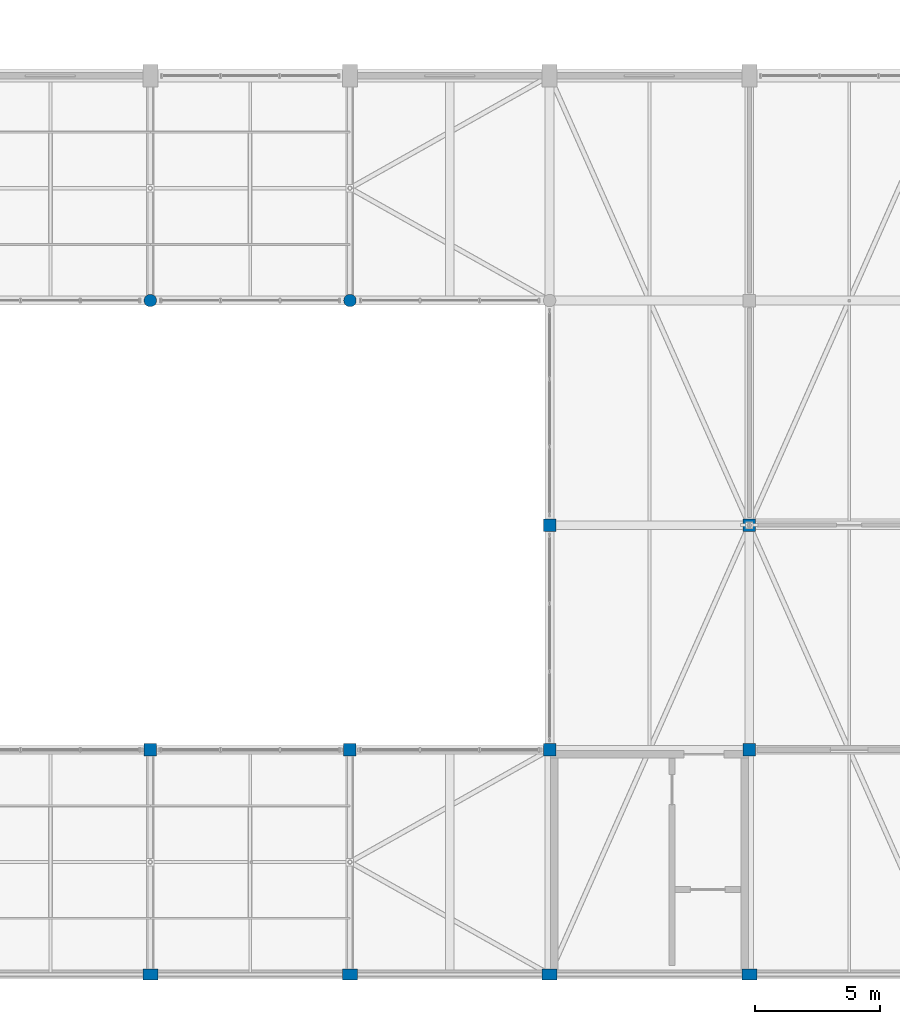
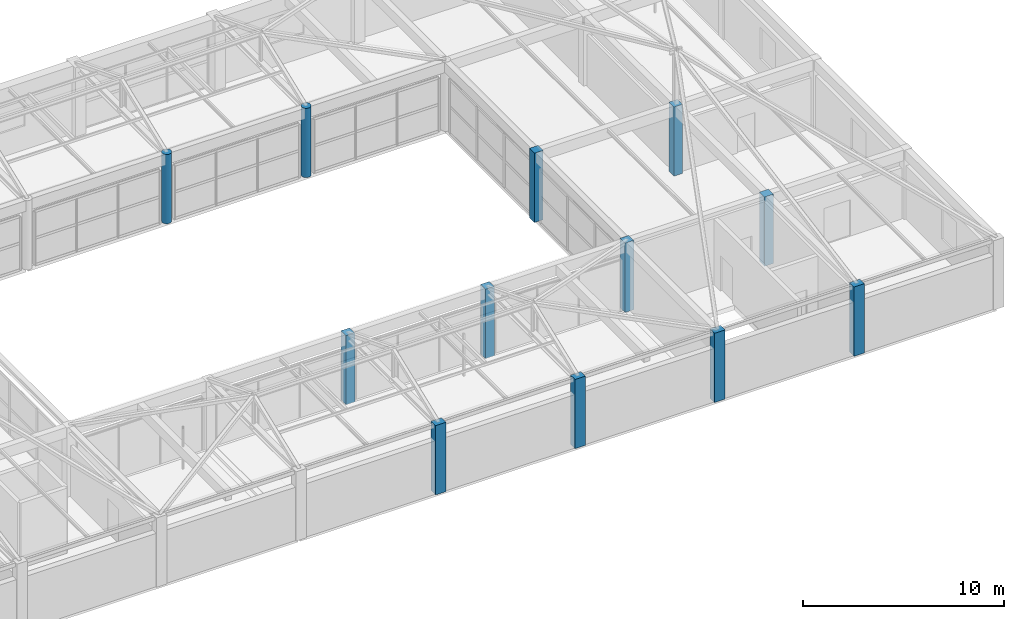
# One storey, part 7 of 65: 12 columns.
"""IFC4 building model written with IfcOpenShell, lengths in metres."""

from ifc_helpers import new_model, si_unit, direction, frame, origin, origin_2d, place, context, subcontext, project, spatial, rectangle, circle, extrude, material, material_profile, profile_set, type_object, element, save


model = new_model("IFC4")

# Units and contexts
model_context = context("Model", 3, precision=1e-05, world=origin(), true_north=direction((0.0, 1.0)))
body_context = subcontext(model_context, "Body", "Model", "MODEL_VIEW")
ifc_project = project(units=[si_unit("LENGTHUNIT", "METRE"), si_unit("AREAUNIT", "SQUARE_METRE"), si_unit("VOLUMEUNIT", "CUBIC_METRE"), si_unit("PLANEANGLEUNIT", "RADIAN"), si_unit("MASSUNIT", "GRAM", prefix="KILO")], contexts=[model_context])

# Site, building, storey
site_placement = place(None, origin())
site = spatial("IfcSite", under=ifc_project, at=site_placement, CompositionType="ELEMENT")
building_placement = place(site_placement, origin())
building = spatial("IfcBuilding", under=site, at=building_placement, Name="Varnabhumi Central Station", CompositionType="ELEMENT")
storey_placement = place(building_placement, frame((0.0, 0.0, 24.60009765625)))
storey = spatial("IfcBuildingStorey", under=building, at=storey_placement, Name="L05", CompositionType="ELEMENT", Elevation=24.60009765625)

# Columns
ifc_material = material(Name="Concrete M40", Category="concrete")
ifc_material_profile_1 = material_profile(ifc_material, rectangle(XDim=0.60009765625, YDim=0.449951171875, at=origin_2d()), Name="Concrete M40", Category="concrete")
ifc_profile_set_1 = profile_set([ifc_material_profile_1], Name="Concrete M40")
column_type_1 = type_object("IfcColumnType", Name="COL-RC-600x450", PredefinedType="PILASTER", material=ifc_profile_set_1)
for number, where, z_axis, x_axis, name in (
    (1, (128.0, 0.0, 0.0), (0.0, 0.0, 1.0), (1.0, 0.0, 0.0), "Column L05-17A"),
    (2, (136.0, 0.0, 0.0), (0.0, 0.0, 1.0), (1.0, 0.0, 0.0), "Column L05-18A"),
    (3, (144.0, 0.0, 0.0), (0.0, 0.0, 1.0), (1.0, 0.0, 0.0), "Column L05-19A"),
    (4, (152.0, 0.0, 0.0), (0.0, 0.0, 1.0), (1.0, 0.0, 0.0), "Column L05-20A"),
):
    element("IfcColumn", number, at=place(storey_placement, frame(where, z_axis=z_axis, x_axis=x_axis)), inside=storey, type_object=column_type_1, Name=name, PredefinedType="PILASTER", context=body_context, shape_type="SweptSolid", body=[
        extrude(rectangle(XDim=0.60009765625, YDim=0.449951171875, at=origin_2d()), origin(), (0.0, 0.0, 1.0), 4.199951171875),
    ])
ifc_material_profile_2 = material_profile(ifc_material, circle(Radius=0.25, at=origin_2d()), Name="Concrete M40", Category="concrete")
ifc_profile_set_2 = profile_set([ifc_material_profile_2], Name="Concrete M40")
column_type_2 = type_object("IfcColumnType", Name="COL-RC-D500", PredefinedType="COLUMN", material=ifc_profile_set_2)
for number, where, z_axis, x_axis, name in (
    (5, (128.0, 27.0, 0.0), (0.0, 0.0, 1.0), (1.0, 0.0, 0.0), "Column L05-17D"),
    (6, (136.0, 27.0, 0.0), (0.0, 0.0, 1.0), (1.0, 0.0, 0.0), "Column L05-18D"),
):
    element("IfcColumn", number, at=place(storey_placement, frame(where, z_axis=z_axis, x_axis=x_axis)), inside=storey, type_object=column_type_2, Name=name, PredefinedType="COLUMN", context=body_context, shape_type="SweptSolid", body=[
        extrude(circle(Radius=0.25, at=origin_2d()), origin(), (0.0, 0.0, 1.0), 4.199951171875),
    ])
ifc_material_profile_3 = material_profile(ifc_material, rectangle(XDim=0.5, YDim=0.5, at=origin_2d()), Name="Concrete M40", Category="concrete")
ifc_profile_set_3 = profile_set([ifc_material_profile_3], Name="Concrete M40")
column_type_3 = type_object("IfcColumnType", Name="COL-UPPER-500", PredefinedType="COLUMN", material=ifc_profile_set_3)
for number, where, z_axis, x_axis, name in (
    (7, (128.0, 9.0, 0.0), (0.0, 0.0, 1.0), (1.0, 0.0, 0.0), "Column L05-17B"),
    (8, (136.0, 9.0, 0.0), (0.0, 0.0, 1.0), (1.0, 0.0, 0.0), "Column L05-18B"),
    (9, (144.0, 9.0, 0.0), (0.0, 0.0, 1.0), (1.0, 0.0, 0.0), "Column L05-19B"),
    (10, (144.0, 18.0, 0.0), (0.0, 0.0, 1.0), (1.0, 0.0, 0.0), "Column L05-19C"),
    (11, (152.0, 9.0, 0.0), (0.0, 0.0, 1.0), (1.0, 0.0, 0.0), "Column L05-20B"),
    (12, (152.0, 18.0, 0.0), (0.0, 0.0, 1.0), (1.0, 0.0, 0.0), "Column L05-20C"),
):
    element("IfcColumn", number, at=place(storey_placement, frame(where, z_axis=z_axis, x_axis=x_axis)), inside=storey, type_object=column_type_3, Name=name, PredefinedType="COLUMN", context=body_context, shape_type="SweptSolid", body=[
        extrude(rectangle(XDim=0.5, YDim=0.5, at=origin_2d()), origin(), (0.0, 0.0, 1.0), 4.199951171875),
    ])

save(model, "model.ifc")
